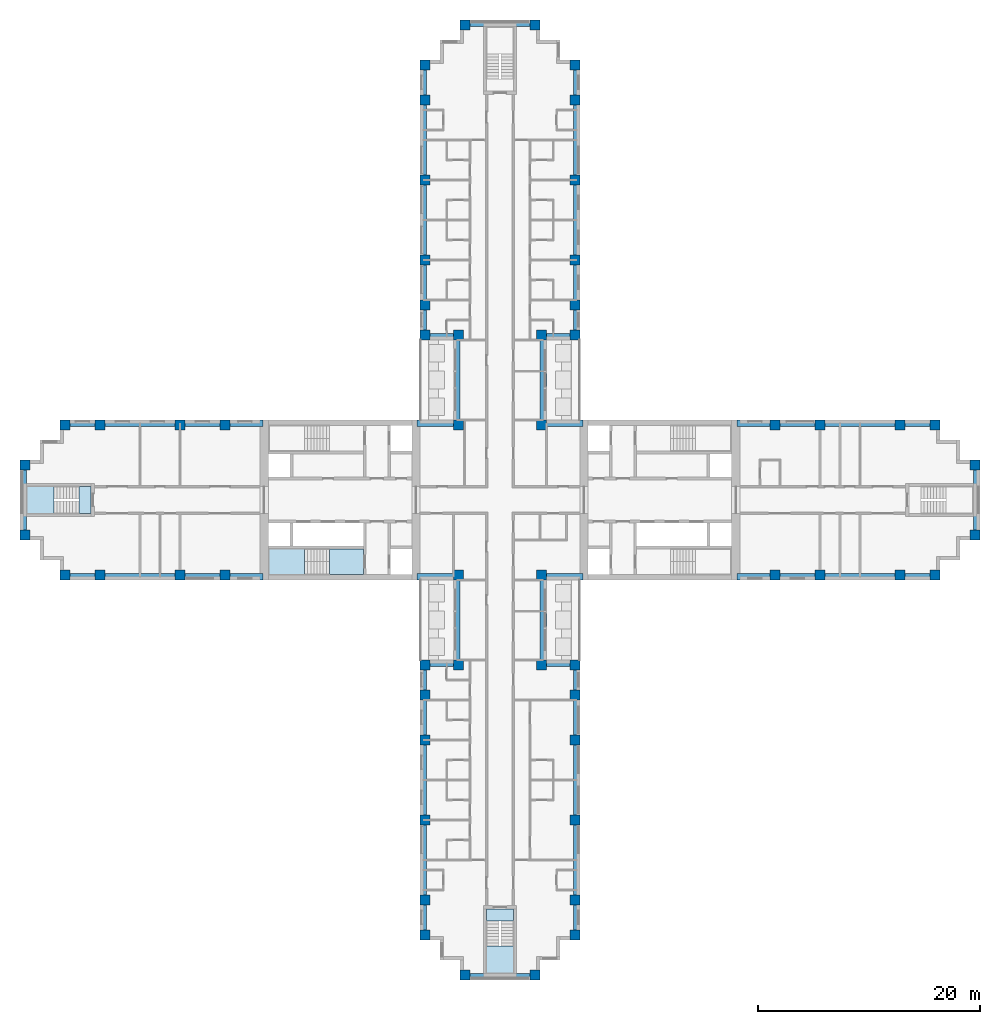
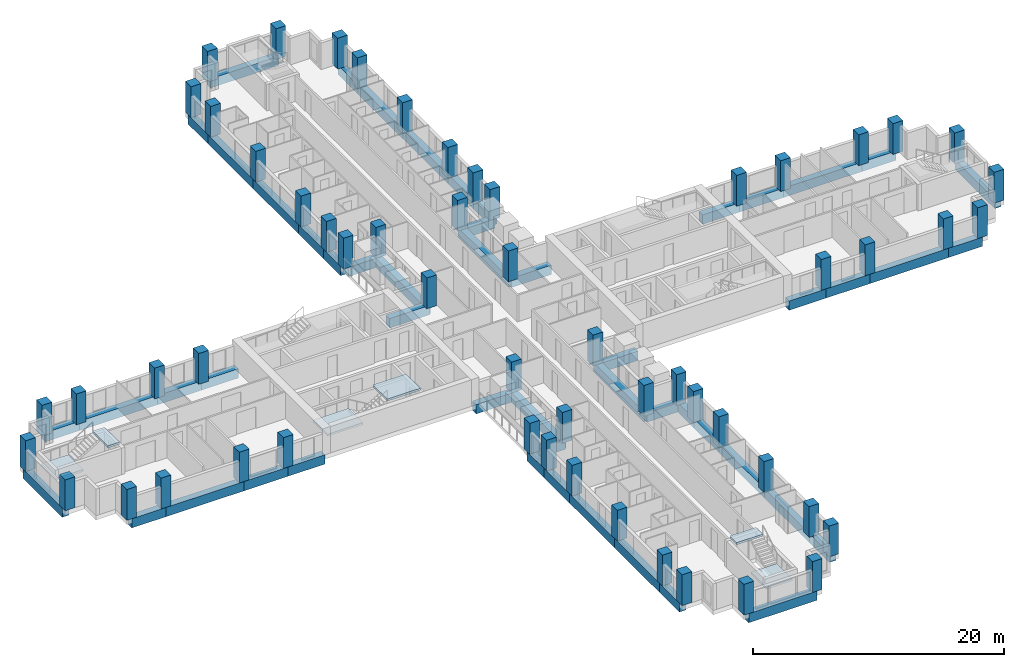
# One storey, part 1 of 15: 56 columns, 52 beams, 6 slabs, 3 elements without a shape of their own.
"""IFC4 building model written with IfcOpenShell, lengths in metres."""

from ifc_helpers import new_model, si_unit, direction, frame, origin, origin_2d, place, context, subcontext, project, spatial, polyline, rectangle, outline, extrude, material, layer, layer_set, material_profile, profile_set, type_object, element, aggregate, save


model = new_model("IFC4")

# Units and contexts
model_context = context("Model", 3, precision=1e-05, world=origin(), true_north=direction((0.0, 1.0)))
body_context = subcontext(model_context, "Body", "Model", "MODEL_VIEW")
ifc_project = project(units=[si_unit("LENGTHUNIT", "METRE"), si_unit("AREAUNIT", "SQUARE_METRE"), si_unit("VOLUMEUNIT", "CUBIC_METRE"), si_unit("PLANEANGLEUNIT", "RADIAN"), si_unit("MASSUNIT", "GRAM", prefix="KILO")], contexts=[model_context])

# Site, building, storey
site_placement = place(None, origin())
site = spatial("IfcSite", under=ifc_project, at=site_placement, CompositionType="ELEMENT")
building_placement = place(site_placement, origin())
building = spatial("IfcBuilding", under=site, at=building_placement, Name="Fustian Cross Tower", CompositionType="ELEMENT")
storey_placement = place(building_placement, frame((0.0, 0.0, 17.699951171875)))
storey = spatial("IfcBuildingStorey", under=building, at=storey_placement, Name="L04", CompositionType="ELEMENT", Elevation=17.699951171875)

# Columns
ifc_material_1 = material(Name="Concrete C70/85", Category="concrete")
ifc_material_profile_1 = material_profile(ifc_material_1, rectangle(XDim=0.89990234375, YDim=0.89990234375, at=origin_2d()), Name="RC 900x900")
ifc_profile_set_1 = profile_set([ifc_material_profile_1], Name="Concrete C70/85")
column_type = type_object("IfcColumnType", Name="COLUMN RC 900x900 C70/85", PredefinedType="COLUMN", material=ifc_profile_set_1)
for number, where, z_axis, x_axis, name in (
    (1, (-42.75, -3.14990234375, 0.0), (0.0, 0.0, 1.0), (1.0, 0.0, 0.0), "COLUMN 001"),
    (2, (-42.75, 3.14990234375, 0.0), (0.0, 0.0, 1.0), (1.0, 0.0, 0.0), "COLUMN 002"),
    (3, (-39.14990234375, -6.75, 0.0), (0.0, 0.0, 1.0), (1.0, 0.0, 0.0), "COLUMN 003"),
    (4, (-39.14990234375, 6.75, 0.0), (0.0, 0.0, 1.0), (1.0, 0.0, 0.0), "COLUMN 004"),
    (5, (-36.0, -6.75, 0.0), (0.0, 0.0, 1.0), (1.0, 0.0, 0.0), "COLUMN 005"),
    (6, (-36.0, 6.75, 0.0), (0.0, 0.0, 1.0), (1.0, 0.0, 0.0), "COLUMN 006"),
    (7, (-28.800048828125, -6.75, 0.0), (0.0, 0.0, 1.0), (1.0, 0.0, 0.0), "COLUMN 007"),
    (8, (-28.800048828125, 6.75, 0.0), (0.0, 0.0, 1.0), (1.0, 0.0, 0.0), "COLUMN 010"),
    (9, (-24.75, -6.75, 0.0), (0.0, 0.0, 1.0), (1.0, 0.0, 0.0), "COLUMN 011"),
    (10, (-24.75, 6.75, 0.0), (0.0, 0.0, 1.0), (1.0, 0.0, 0.0), "COLUMN 012"),
    (11, (-6.75, -39.14990234375, 0.0), (0.0, 0.0, 1.0), (1.0, 0.0, 0.0), "COLUMN 013"),
    (12, (-6.75, -36.0, 0.0), (0.0, 0.0, 1.0), (1.0, 0.0, 0.0), "COLUMN 014"),
    (13, (-6.75, -28.800048828125, 0.0), (0.0, 0.0, 1.0), (1.0, 0.0, 0.0), "COLUMN 015"),
    (14, (-6.75, -21.60009765625, 0.0), (0.0, 0.0, 1.0), (1.0, 0.0, 0.0), "COLUMN 016"),
    (15, (-6.75, -17.550048828125, 0.0), (0.0, 0.0, 1.0), (1.0, 0.0, 0.0), "COLUMN 017"),
    (16, (-6.75, -14.85009765625, 0.0), (0.0, 0.0, 1.0), (1.0, 0.0, 0.0), "COLUMN 018"),
    (17, (-6.75, 14.85009765625, 0.0), (0.0, 0.0, 1.0), (1.0, 0.0, 0.0), "COLUMN 019"),
    (18, (-6.75, 17.550048828125, 0.0), (0.0, 0.0, 1.0), (1.0, 0.0, 0.0), "COLUMN 020"),
    (19, (-6.75, 21.60009765625, 0.0), (0.0, 0.0, 1.0), (1.0, 0.0, 0.0), "COLUMN 021"),
    (20, (-6.75, 28.800048828125, 0.0), (0.0, 0.0, 1.0), (1.0, 0.0, 0.0), "COLUMN 022"),
    (21, (-6.75, 36.0, 0.0), (0.0, 0.0, 1.0), (1.0, 0.0, 0.0), "COLUMN 023"),
    (22, (-6.75, 39.14990234375, 0.0), (0.0, 0.0, 1.0), (1.0, 0.0, 0.0), "COLUMN 024"),
    (23, (-3.75, -14.85009765625, 0.0), (0.0, 0.0, 1.0), (1.0, 0.0, 0.0), "COLUMN 025"),
    (24, (-3.75, -6.75, 0.0), (0.0, 0.0, 1.0), (1.0, 0.0, 0.0), "COLUMN 026"),
    (25, (-3.75, 6.75, 0.0), (0.0, 0.0, 1.0), (1.0, 0.0, 0.0), "COLUMN 027"),
    (26, (-3.75, 14.85009765625, 0.0), (0.0, 0.0, 1.0), (1.0, 0.0, 0.0), "COLUMN 028"),
    (27, (-3.14990234375, -42.75, 0.0), (0.0, 0.0, 1.0), (1.0, 0.0, 0.0), "COLUMN 029"),
    (28, (-3.14990234375, 42.75, 0.0), (0.0, 0.0, 1.0), (1.0, 0.0, 0.0), "COLUMN 032"),
    (29, (3.14990234375, -42.75, 0.0), (0.0, 0.0, 1.0), (1.0, 0.0, 0.0), "COLUMN 033"),
    (30, (3.14990234375, 42.75, 0.0), (0.0, 0.0, 1.0), (1.0, 0.0, 0.0), "COLUMN 036"),
    (31, (3.75, -14.85009765625, 0.0), (0.0, 0.0, 1.0), (1.0, 0.0, 0.0), "COLUMN 037"),
    (32, (3.75, -6.75, 0.0), (0.0, 0.0, 1.0), (1.0, 0.0, 0.0), "COLUMN 038"),
    (33, (3.75, 6.75, 0.0), (0.0, 0.0, 1.0), (1.0, 0.0, 0.0), "COLUMN 039"),
    (34, (3.75, 14.85009765625, 0.0), (0.0, 0.0, 1.0), (1.0, 0.0, 0.0), "COLUMN 040"),
    (35, (6.75, -39.14990234375, 0.0), (0.0, 0.0, 1.0), (1.0, 0.0, 0.0), "COLUMN 041"),
    (36, (6.75, -36.0, 0.0), (0.0, 0.0, 1.0), (1.0, 0.0, 0.0), "COLUMN 042"),
    (37, (6.75, -28.800048828125, 0.0), (0.0, 0.0, 1.0), (1.0, 0.0, 0.0), "COLUMN 043"),
    (38, (6.75, -21.60009765625, 0.0), (0.0, 0.0, 1.0), (1.0, 0.0, 0.0), "COLUMN 044"),
    (39, (6.75, -17.550048828125, 0.0), (0.0, 0.0, 1.0), (1.0, 0.0, 0.0), "COLUMN 045"),
    (40, (6.75, -14.85009765625, 0.0), (0.0, 0.0, 1.0), (1.0, 0.0, 0.0), "COLUMN 046"),
    (41, (6.75, 14.85009765625, 0.0), (0.0, 0.0, 1.0), (1.0, 0.0, 0.0), "COLUMN 047"),
    (42, (6.75, 17.550048828125, 0.0), (0.0, 0.0, 1.0), (1.0, 0.0, 0.0), "COLUMN 048"),
    (43, (6.75, 21.60009765625, 0.0), (0.0, 0.0, 1.0), (1.0, 0.0, 0.0), "COLUMN 049"),
    (44, (6.75, 28.800048828125, 0.0), (0.0, 0.0, 1.0), (1.0, 0.0, 0.0), "COLUMN 050"),
    (45, (6.75, 36.0, 0.0), (0.0, 0.0, 1.0), (1.0, 0.0, 0.0), "COLUMN 051"),
    (46, (6.75, 39.14990234375, 0.0), (0.0, 0.0, 1.0), (1.0, 0.0, 0.0), "COLUMN 052"),
    (47, (24.75, -6.75, 0.0), (0.0, 0.0, 1.0), (1.0, 0.0, 0.0), "COLUMN 053"),
    (48, (24.75, 6.75, 0.0), (0.0, 0.0, 1.0), (1.0, 0.0, 0.0), "COLUMN 054"),
    (49, (28.800048828125, -6.75, 0.0), (0.0, 0.0, 1.0), (1.0, 0.0, 0.0), "COLUMN 055"),
    (50, (28.800048828125, 6.75, 0.0), (0.0, 0.0, 1.0), (1.0, 0.0, 0.0), "COLUMN 058"),
    (51, (36.0, -6.75, 0.0), (0.0, 0.0, 1.0), (1.0, 0.0, 0.0), "COLUMN 059"),
    (52, (36.0, 6.75, 0.0), (0.0, 0.0, 1.0), (1.0, 0.0, 0.0), "COLUMN 060"),
    (53, (39.14990234375, -6.75, 0.0), (0.0, 0.0, 1.0), (1.0, 0.0, 0.0), "COLUMN 061"),
    (54, (39.14990234375, 6.75, 0.0), (0.0, 0.0, 1.0), (1.0, 0.0, 0.0), "COLUMN 062"),
    (55, (42.75, -3.14990234375, 0.0), (0.0, 0.0, 1.0), (1.0, 0.0, 0.0), "COLUMN 063"),
    (56, (42.75, 3.14990234375, 0.0), (0.0, 0.0, 1.0), (1.0, 0.0, 0.0), "COLUMN 064"),
):
    element("IfcColumn", number, at=place(storey_placement, frame(where, z_axis=z_axis, x_axis=x_axis)), inside=storey, type_object=column_type, Name=name, PredefinedType="COLUMN", context=body_context, shape_type="SweptSolid", body=[
        extrude(rectangle(XDim=0.89990234375, YDim=0.89990234375, at=origin_2d()), origin(), (0.0, 0.0, 1.0), 3.0),
    ])

# Beams
ifc_material_2 = material(Name="Concrete C50/60", Category="concrete")
ifc_material_profile_2 = material_profile(ifc_material_2, rectangle(XDim=0.60009765625, YDim=0.89990234375, at=origin_2d()), Name="RC 600x900")
ifc_profile_set_2 = profile_set([ifc_material_profile_2], Name="Concrete C50/60")
beam_type = type_object("IfcBeamType", Name="EDGE BEAM RC 600x900 C50/60", PredefinedType="SPANDREL", material=ifc_profile_set_2)
beam_1_placement = place(storey_placement, frame((21.35009765625, -6.89990234375, -0.449951171875), z_axis=(1.0, 0.0, 0.0), x_axis=(0.0, 1.0, 0.0)))
element("IfcBeam", 57, at=beam_1_placement, inside=storey, type_object=beam_type, Name="EDGE BEAM L04-01", PredefinedType="SPANDREL", context=body_context, shape_type="SweptSolid", body=[
    extrude(rectangle(XDim=0.60009765625, YDim=0.89990234375, at=origin_2d()), origin(), (0.0, 0.0, 1.0), 3.39990234375),
])
beam_2_placement = place(storey_placement, frame((24.75, -6.89990234375, -0.449951171875), z_axis=(1.0, 0.0, 0.0), x_axis=(0.0, 1.0, 0.0)))
element("IfcBeam", 58, at=beam_2_placement, inside=storey, type_object=beam_type, Name="EDGE BEAM L04-02", PredefinedType="SPANDREL", context=body_context, shape_type="SweptSolid", body=[
    extrude(rectangle(XDim=0.60009765625, YDim=0.89990234375, at=origin_2d()), origin(), (0.0, 0.0, 1.0), 4.050048828125),
])
beam_3_placement = place(storey_placement, frame((28.800048828125, -6.89990234375, -0.449951171875), z_axis=(1.0, 0.0, 0.0), x_axis=(0.0, 1.0, 0.0)))
element("IfcBeam", 59, at=beam_3_placement, inside=storey, type_object=beam_type, Name="EDGE BEAM L04-03", PredefinedType="SPANDREL", context=body_context, shape_type="SweptSolid", body=[
    extrude(rectangle(XDim=0.60009765625, YDim=0.89990234375, at=origin_2d()), origin(), (0.0, 0.0, 1.0), 7.199951171875),
])
beam_4_placement = place(storey_placement, frame((36.0, -6.89990234375, -0.449951171875), z_axis=(1.0, 0.0, 0.0), x_axis=(0.0, 1.0, 0.0)))
element("IfcBeam", 60, at=beam_4_placement, inside=storey, type_object=beam_type, Name="EDGE BEAM L04-04", PredefinedType="SPANDREL", context=body_context, shape_type="SweptSolid", body=[
    extrude(rectangle(XDim=0.60009765625, YDim=0.89990234375, at=origin_2d()), origin(), (0.0, 0.0, 1.0), 3.14990234375),
])
beam_5_placement = place(storey_placement, frame((42.89990234375, -3.14990234375, -0.449951171875), z_axis=(0.0, 1.0, 0.0), x_axis=(-1.0, 0.0, 0.0)))
element("IfcBeam", 61, at=beam_5_placement, inside=storey, type_object=beam_type, Name="EDGE BEAM L04-05", PredefinedType="SPANDREL", context=body_context, shape_type="SweptSolid", body=[
    extrude(rectangle(XDim=0.60009765625, YDim=0.89990234375, at=origin_2d()), origin(), (0.0, 0.0, 1.0), 6.2998046875),
])
beam_6_placement = place(storey_placement, frame((39.14990234375, 6.89990234375, -0.449951171875), z_axis=(-1.0, 0.0, 0.0), x_axis=(0.0, -1.0, 0.0)))
element("IfcBeam", 62, at=beam_6_placement, inside=storey, type_object=beam_type, Name="EDGE BEAM L04-06", PredefinedType="SPANDREL", context=body_context, shape_type="SweptSolid", body=[
    extrude(rectangle(XDim=0.60009765625, YDim=0.89990234375, at=origin_2d()), origin(), (0.0, 0.0, 1.0), 3.14990234375),
])
beam_7_placement = place(storey_placement, frame((36.0, 6.89990234375, -0.449951171875), z_axis=(-1.0, 0.0, 0.0), x_axis=(0.0, -1.0, 0.0)))
element("IfcBeam", 63, at=beam_7_placement, inside=storey, type_object=beam_type, Name="EDGE BEAM L04-07", PredefinedType="SPANDREL", context=body_context, shape_type="SweptSolid", body=[
    extrude(rectangle(XDim=0.60009765625, YDim=0.89990234375, at=origin_2d()), origin(), (0.0, 0.0, 1.0), 7.199951171875),
])
beam_8_placement = place(storey_placement, frame((28.800048828125, 6.89990234375, -0.449951171875), z_axis=(-1.0, 0.0, 0.0), x_axis=(0.0, -1.0, 0.0)))
element("IfcBeam", 64, at=beam_8_placement, inside=storey, type_object=beam_type, Name="EDGE BEAM L04-08", PredefinedType="SPANDREL", context=body_context, shape_type="SweptSolid", body=[
    extrude(rectangle(XDim=0.60009765625, YDim=0.89990234375, at=origin_2d()), origin(), (0.0, 0.0, 1.0), 4.050048828125),
])
beam_9_placement = place(storey_placement, frame((24.75, 6.89990234375, -0.449951171875), z_axis=(-1.0, 0.0, 0.0), x_axis=(0.0, -1.0, 0.0)))
element("IfcBeam", 65, at=beam_9_placement, inside=storey, type_object=beam_type, Name="EDGE BEAM L04-09", PredefinedType="SPANDREL", context=body_context, shape_type="SweptSolid", body=[
    extrude(rectangle(XDim=0.60009765625, YDim=0.89990234375, at=origin_2d()), origin(), (0.0, 0.0, 1.0), 3.39990234375),
])
beam_10_placement = place(storey_placement, frame((7.449951171875, 6.89990234375, -0.449951171875), z_axis=(-1.0, 0.0, 0.0), x_axis=(0.0, -1.0, 0.0)))
element("IfcBeam", 66, at=beam_10_placement, inside=storey, type_object=beam_type, Name="EDGE BEAM L04-10", PredefinedType="SPANDREL", context=body_context, shape_type="SweptSolid", body=[
    extrude(rectangle(XDim=0.60009765625, YDim=0.89990234375, at=origin_2d()), origin(), (0.0, 0.0, 1.0), 3.699951171875),
])
beam_11_placement = place(storey_placement, frame((3.89990234375, 6.75, -0.449951171875), z_axis=(0.0, 1.0, 0.0), x_axis=(-1.0, 0.0, 0.0)))
element("IfcBeam", 67, at=beam_11_placement, inside=storey, type_object=beam_type, Name="EDGE BEAM L04-11", PredefinedType="SPANDREL", context=body_context, shape_type="SweptSolid", body=[
    extrude(rectangle(XDim=0.60009765625, YDim=0.89990234375, at=origin_2d()), origin(), (0.0, 0.0, 1.0), 8.10009765625),
])
beam_12_placement = place(storey_placement, frame((3.75, 14.699951171875, -0.449951171875), z_axis=(1.0, 0.0, 0.0), x_axis=(0.0, 1.0, 0.0)))
element("IfcBeam", 68, at=beam_12_placement, inside=storey, type_object=beam_type, Name="EDGE BEAM L04-12", PredefinedType="SPANDREL", context=body_context, shape_type="SweptSolid", body=[
    extrude(rectangle(XDim=0.60009765625, YDim=0.89990234375, at=origin_2d()), origin(), (0.0, 0.0, 1.0), 3.0),
])
beam_13_placement = place(storey_placement, frame((6.89990234375, 14.85009765625, -0.449951171875), z_axis=(0.0, 1.0, 0.0), x_axis=(-1.0, 0.0, 0.0)))
element("IfcBeam", 69, at=beam_13_placement, inside=storey, type_object=beam_type, Name="EDGE BEAM L04-13", PredefinedType="SPANDREL", context=body_context, shape_type="SweptSolid", body=[
    extrude(rectangle(XDim=0.60009765625, YDim=0.89990234375, at=origin_2d()), origin(), (0.0, 0.0, 1.0), 2.699951171875),
])
beam_14_placement = place(storey_placement, frame((6.89990234375, 17.550048828125, -0.449951171875), z_axis=(0.0, 1.0, 0.0), x_axis=(-1.0, 0.0, 0.0)))
element("IfcBeam", 70, at=beam_14_placement, inside=storey, type_object=beam_type, Name="EDGE BEAM L04-14", PredefinedType="SPANDREL", context=body_context, shape_type="SweptSolid", body=[
    extrude(rectangle(XDim=0.60009765625, YDim=0.89990234375, at=origin_2d()), origin(), (0.0, 0.0, 1.0), 4.050048828125),
])
for number, where, z_axis, x_axis, name in (
    (71, (6.89990234375, 21.60009765625, -0.449951171875), (0.0, 1.0, 0.0), (-1.0, 0.0, 0.0), "EDGE BEAM L04-15"),
    (72, (6.89990234375, 28.800048828125, -0.449951171875), (0.0, 1.0, 0.0), (-1.0, 0.0, 0.0), "EDGE BEAM L04-16"),
):
    element("IfcBeam", number, at=place(storey_placement, frame(where, z_axis=z_axis, x_axis=x_axis)), inside=storey, type_object=beam_type, Name=name, PredefinedType="SPANDREL", context=body_context, shape_type="SweptSolid", body=[
        extrude(rectangle(XDim=0.60009765625, YDim=0.89990234375, at=origin_2d()), origin(), (0.0, 0.0, 1.0), 7.199951171875),
    ])
beam_15_placement = place(storey_placement, frame((6.89990234375, 36.0, -0.449951171875), z_axis=(0.0, 1.0, 0.0), x_axis=(-1.0, 0.0, 0.0)))
element("IfcBeam", 73, at=beam_15_placement, inside=storey, type_object=beam_type, Name="EDGE BEAM L04-17", PredefinedType="SPANDREL", context=body_context, shape_type="SweptSolid", body=[
    extrude(rectangle(XDim=0.60009765625, YDim=0.89990234375, at=origin_2d()), origin(), (0.0, 0.0, 1.0), 3.14990234375),
])
beam_16_placement = place(storey_placement, frame((3.14990234375, 42.89990234375, -0.449951171875), z_axis=(-1.0, 0.0, 0.0), x_axis=(0.0, -1.0, 0.0)))
element("IfcBeam", 74, at=beam_16_placement, inside=storey, type_object=beam_type, Name="EDGE BEAM L04-18", PredefinedType="SPANDREL", context=body_context, shape_type="SweptSolid", body=[
    extrude(rectangle(XDim=0.60009765625, YDim=0.89990234375, at=origin_2d()), origin(), (0.0, 0.0, 1.0), 6.2998046875),
])
beam_17_placement = place(storey_placement, frame((-6.89990234375, 39.14990234375, -0.449951171875), z_axis=(0.0, -1.0, 0.0), x_axis=(1.0, 0.0, 0.0)))
element("IfcBeam", 75, at=beam_17_placement, inside=storey, type_object=beam_type, Name="EDGE BEAM L04-19", PredefinedType="SPANDREL", context=body_context, shape_type="SweptSolid", body=[
    extrude(rectangle(XDim=0.60009765625, YDim=0.89990234375, at=origin_2d()), origin(), (0.0, 0.0, 1.0), 3.14990234375),
])
for number, where, z_axis, x_axis, name in (
    (76, (-6.89990234375, 36.0, -0.449951171875), (0.0, -1.0, 0.0), (1.0, 0.0, 0.0), "EDGE BEAM L04-20"),
    (77, (-6.89990234375, 28.800048828125, -0.449951171875), (0.0, -1.0, 0.0), (1.0, 0.0, 0.0), "EDGE BEAM L04-21"),
):
    element("IfcBeam", number, at=place(storey_placement, frame(where, z_axis=z_axis, x_axis=x_axis)), inside=storey, type_object=beam_type, Name=name, PredefinedType="SPANDREL", context=body_context, shape_type="SweptSolid", body=[
        extrude(rectangle(XDim=0.60009765625, YDim=0.89990234375, at=origin_2d()), origin(), (0.0, 0.0, 1.0), 7.199951171875),
    ])
beam_18_placement = place(storey_placement, frame((-6.89990234375, 21.60009765625, -0.449951171875), z_axis=(0.0, -1.0, 0.0), x_axis=(1.0, 0.0, 0.0)))
element("IfcBeam", 78, at=beam_18_placement, inside=storey, type_object=beam_type, Name="EDGE BEAM L04-22", PredefinedType="SPANDREL", context=body_context, shape_type="SweptSolid", body=[
    extrude(rectangle(XDim=0.60009765625, YDim=0.89990234375, at=origin_2d()), origin(), (0.0, 0.0, 1.0), 4.050048828125),
])
beam_19_placement = place(storey_placement, frame((-6.89990234375, 17.550048828125, -0.449951171875), z_axis=(0.0, -1.0, 0.0), x_axis=(1.0, 0.0, 0.0)))
element("IfcBeam", 79, at=beam_19_placement, inside=storey, type_object=beam_type, Name="EDGE BEAM L04-23", PredefinedType="SPANDREL", context=body_context, shape_type="SweptSolid", body=[
    extrude(rectangle(XDim=0.60009765625, YDim=0.89990234375, at=origin_2d()), origin(), (0.0, 0.0, 1.0), 2.699951171875),
])
beam_20_placement = place(storey_placement, frame((-6.75, 14.699951171875, -0.449951171875), z_axis=(1.0, 0.0, 0.0), x_axis=(0.0, 1.0, 0.0)))
element("IfcBeam", 80, at=beam_20_placement, inside=storey, type_object=beam_type, Name="EDGE BEAM L04-24", PredefinedType="SPANDREL", context=body_context, shape_type="SweptSolid", body=[
    extrude(rectangle(XDim=0.60009765625, YDim=0.89990234375, at=origin_2d()), origin(), (0.0, 0.0, 1.0), 3.0),
])
beam_21_placement = place(storey_placement, frame((-3.89990234375, 14.85009765625, -0.449951171875), z_axis=(0.0, -1.0, 0.0), x_axis=(1.0, 0.0, 0.0)))
element("IfcBeam", 81, at=beam_21_placement, inside=storey, type_object=beam_type, Name="EDGE BEAM L04-25", PredefinedType="SPANDREL", context=body_context, shape_type="SweptSolid", body=[
    extrude(rectangle(XDim=0.60009765625, YDim=0.89990234375, at=origin_2d()), origin(), (0.0, 0.0, 1.0), 8.10009765625),
])
beam_22_placement = place(storey_placement, frame((-3.75, 6.89990234375, -0.449951171875), z_axis=(-1.0, 0.0, 0.0), x_axis=(0.0, -1.0, 0.0)))
element("IfcBeam", 82, at=beam_22_placement, inside=storey, type_object=beam_type, Name="EDGE BEAM L04-26", PredefinedType="SPANDREL", context=body_context, shape_type="SweptSolid", body=[
    extrude(rectangle(XDim=0.60009765625, YDim=0.89990234375, at=origin_2d()), origin(), (0.0, 0.0, 1.0), 3.699951171875),
])
beam_23_placement = place(storey_placement, frame((-21.35009765625, 6.89990234375, -0.449951171875), z_axis=(-1.0, 0.0, 0.0), x_axis=(0.0, -1.0, 0.0)))
element("IfcBeam", 83, at=beam_23_placement, inside=storey, type_object=beam_type, Name="EDGE BEAM L04-27", PredefinedType="SPANDREL", context=body_context, shape_type="SweptSolid", body=[
    extrude(rectangle(XDim=0.60009765625, YDim=0.89990234375, at=origin_2d()), origin(), (0.0, 0.0, 1.0), 3.39990234375),
])
beam_24_placement = place(storey_placement, frame((-24.75, 6.89990234375, -0.449951171875), z_axis=(-1.0, 0.0, 0.0), x_axis=(0.0, -1.0, 0.0)))
element("IfcBeam", 84, at=beam_24_placement, inside=storey, type_object=beam_type, Name="EDGE BEAM L04-28", PredefinedType="SPANDREL", context=body_context, shape_type="SweptSolid", body=[
    extrude(rectangle(XDim=0.60009765625, YDim=0.89990234375, at=origin_2d()), origin(), (0.0, 0.0, 1.0), 4.050048828125),
])
beam_25_placement = place(storey_placement, frame((-28.800048828125, 6.89990234375, -0.449951171875), z_axis=(-1.0, 0.0, 0.0), x_axis=(0.0, -1.0, 0.0)))
element("IfcBeam", 85, at=beam_25_placement, inside=storey, type_object=beam_type, Name="EDGE BEAM L04-29", PredefinedType="SPANDREL", context=body_context, shape_type="SweptSolid", body=[
    extrude(rectangle(XDim=0.60009765625, YDim=0.89990234375, at=origin_2d()), origin(), (0.0, 0.0, 1.0), 7.199951171875),
])
beam_26_placement = place(storey_placement, frame((-36.0, 6.89990234375, -0.449951171875), z_axis=(-1.0, 0.0, 0.0), x_axis=(0.0, -1.0, 0.0)))
element("IfcBeam", 86, at=beam_26_placement, inside=storey, type_object=beam_type, Name="EDGE BEAM L04-30", PredefinedType="SPANDREL", context=body_context, shape_type="SweptSolid", body=[
    extrude(rectangle(XDim=0.60009765625, YDim=0.89990234375, at=origin_2d()), origin(), (0.0, 0.0, 1.0), 3.14990234375),
])
beam_27_placement = place(storey_placement, frame((-42.89990234375, 3.14990234375, -0.449951171875), z_axis=(0.0, -1.0, 0.0), x_axis=(1.0, 0.0, 0.0)))
element("IfcBeam", 87, at=beam_27_placement, inside=storey, type_object=beam_type, Name="EDGE BEAM L04-31", PredefinedType="SPANDREL", context=body_context, shape_type="SweptSolid", body=[
    extrude(rectangle(XDim=0.60009765625, YDim=0.89990234375, at=origin_2d()), origin(), (0.0, 0.0, 1.0), 6.2998046875),
])
beam_28_placement = place(storey_placement, frame((-39.14990234375, -6.89990234375, -0.449951171875), z_axis=(1.0, 0.0, 0.0), x_axis=(0.0, 1.0, 0.0)))
element("IfcBeam", 88, at=beam_28_placement, inside=storey, type_object=beam_type, Name="EDGE BEAM L04-32", PredefinedType="SPANDREL", context=body_context, shape_type="SweptSolid", body=[
    extrude(rectangle(XDim=0.60009765625, YDim=0.89990234375, at=origin_2d()), origin(), (0.0, 0.0, 1.0), 3.14990234375),
])
beam_29_placement = place(storey_placement, frame((-36.0, -6.89990234375, -0.449951171875), z_axis=(1.0, 0.0, 0.0), x_axis=(0.0, 1.0, 0.0)))
element("IfcBeam", 89, at=beam_29_placement, inside=storey, type_object=beam_type, Name="EDGE BEAM L04-33", PredefinedType="SPANDREL", context=body_context, shape_type="SweptSolid", body=[
    extrude(rectangle(XDim=0.60009765625, YDim=0.89990234375, at=origin_2d()), origin(), (0.0, 0.0, 1.0), 7.199951171875),
])
beam_30_placement = place(storey_placement, frame((-28.800048828125, -6.89990234375, -0.449951171875), z_axis=(1.0, 0.0, 0.0), x_axis=(0.0, 1.0, 0.0)))
element("IfcBeam", 90, at=beam_30_placement, inside=storey, type_object=beam_type, Name="EDGE BEAM L04-34", PredefinedType="SPANDREL", context=body_context, shape_type="SweptSolid", body=[
    extrude(rectangle(XDim=0.60009765625, YDim=0.89990234375, at=origin_2d()), origin(), (0.0, 0.0, 1.0), 4.050048828125),
])
beam_31_placement = place(storey_placement, frame((-24.75, -6.89990234375, -0.449951171875), z_axis=(1.0, 0.0, 0.0), x_axis=(0.0, 1.0, 0.0)))
element("IfcBeam", 91, at=beam_31_placement, inside=storey, type_object=beam_type, Name="EDGE BEAM L04-35", PredefinedType="SPANDREL", context=body_context, shape_type="SweptSolid", body=[
    extrude(rectangle(XDim=0.60009765625, YDim=0.89990234375, at=origin_2d()), origin(), (0.0, 0.0, 1.0), 3.39990234375),
])
beam_32_placement = place(storey_placement, frame((-7.449951171875, -6.89990234375, -0.449951171875), z_axis=(1.0, 0.0, 0.0), x_axis=(0.0, 1.0, 0.0)))
element("IfcBeam", 92, at=beam_32_placement, inside=storey, type_object=beam_type, Name="EDGE BEAM L04-36", PredefinedType="SPANDREL", context=body_context, shape_type="SweptSolid", body=[
    extrude(rectangle(XDim=0.60009765625, YDim=0.89990234375, at=origin_2d()), origin(), (0.0, 0.0, 1.0), 3.699951171875),
])
beam_33_placement = place(storey_placement, frame((-3.89990234375, -6.75, -0.449951171875), z_axis=(0.0, -1.0, 0.0), x_axis=(1.0, 0.0, 0.0)))
element("IfcBeam", 93, at=beam_33_placement, inside=storey, type_object=beam_type, Name="EDGE BEAM L04-37", PredefinedType="SPANDREL", context=body_context, shape_type="SweptSolid", body=[
    extrude(rectangle(XDim=0.60009765625, YDim=0.89990234375, at=origin_2d()), origin(), (0.0, 0.0, 1.0), 8.10009765625),
])
beam_34_placement = place(storey_placement, frame((-3.75, -14.699951171875, -0.449951171875), z_axis=(-1.0, 0.0, 0.0), x_axis=(0.0, -1.0, 0.0)))
element("IfcBeam", 94, at=beam_34_placement, inside=storey, type_object=beam_type, Name="EDGE BEAM L04-38", PredefinedType="SPANDREL", context=body_context, shape_type="SweptSolid", body=[
    extrude(rectangle(XDim=0.60009765625, YDim=0.89990234375, at=origin_2d()), origin(), (0.0, 0.0, 1.0), 3.0),
])
beam_35_placement = place(storey_placement, frame((-6.89990234375, -14.85009765625, -0.449951171875), z_axis=(0.0, -1.0, 0.0), x_axis=(1.0, 0.0, 0.0)))
element("IfcBeam", 95, at=beam_35_placement, inside=storey, type_object=beam_type, Name="EDGE BEAM L04-39", PredefinedType="SPANDREL", context=body_context, shape_type="SweptSolid", body=[
    extrude(rectangle(XDim=0.60009765625, YDim=0.89990234375, at=origin_2d()), origin(), (0.0, 0.0, 1.0), 2.699951171875),
])
beam_36_placement = place(storey_placement, frame((-6.89990234375, -17.550048828125, -0.449951171875), z_axis=(0.0, -1.0, 0.0), x_axis=(1.0, 0.0, 0.0)))
element("IfcBeam", 96, at=beam_36_placement, inside=storey, type_object=beam_type, Name="EDGE BEAM L04-40", PredefinedType="SPANDREL", context=body_context, shape_type="SweptSolid", body=[
    extrude(rectangle(XDim=0.60009765625, YDim=0.89990234375, at=origin_2d()), origin(), (0.0, 0.0, 1.0), 4.050048828125),
])
for number, where, z_axis, x_axis, name in (
    (97, (-6.89990234375, -21.60009765625, -0.449951171875), (0.0, -1.0, 0.0), (1.0, 0.0, 0.0), "EDGE BEAM L04-41"),
    (98, (-6.89990234375, -28.800048828125, -0.449951171875), (0.0, -1.0, 0.0), (1.0, 0.0, 0.0), "EDGE BEAM L04-42"),
):
    element("IfcBeam", number, at=place(storey_placement, frame(where, z_axis=z_axis, x_axis=x_axis)), inside=storey, type_object=beam_type, Name=name, PredefinedType="SPANDREL", context=body_context, shape_type="SweptSolid", body=[
        extrude(rectangle(XDim=0.60009765625, YDim=0.89990234375, at=origin_2d()), origin(), (0.0, 0.0, 1.0), 7.199951171875),
    ])
beam_37_placement = place(storey_placement, frame((-6.89990234375, -36.0, -0.449951171875), z_axis=(0.0, -1.0, 0.0), x_axis=(1.0, 0.0, 0.0)))
element("IfcBeam", 99, at=beam_37_placement, inside=storey, type_object=beam_type, Name="EDGE BEAM L04-43", PredefinedType="SPANDREL", context=body_context, shape_type="SweptSolid", body=[
    extrude(rectangle(XDim=0.60009765625, YDim=0.89990234375, at=origin_2d()), origin(), (0.0, 0.0, 1.0), 3.14990234375),
])
beam_38_placement = place(storey_placement, frame((-3.14990234375, -42.89990234375, -0.449951171875), z_axis=(1.0, 0.0, 0.0), x_axis=(0.0, 1.0, 0.0)))
element("IfcBeam", 100, at=beam_38_placement, inside=storey, type_object=beam_type, Name="EDGE BEAM L04-44", PredefinedType="SPANDREL", context=body_context, shape_type="SweptSolid", body=[
    extrude(rectangle(XDim=0.60009765625, YDim=0.89990234375, at=origin_2d()), origin(), (0.0, 0.0, 1.0), 6.2998046875),
])
beam_39_placement = place(storey_placement, frame((6.89990234375, -39.14990234375, -0.449951171875), z_axis=(0.0, 1.0, 0.0), x_axis=(-1.0, 0.0, 0.0)))
element("IfcBeam", 101, at=beam_39_placement, inside=storey, type_object=beam_type, Name="EDGE BEAM L04-45", PredefinedType="SPANDREL", context=body_context, shape_type="SweptSolid", body=[
    extrude(rectangle(XDim=0.60009765625, YDim=0.89990234375, at=origin_2d()), origin(), (0.0, 0.0, 1.0), 3.14990234375),
])
for number, where, z_axis, x_axis, name in (
    (102, (6.89990234375, -36.0, -0.449951171875), (0.0, 1.0, 0.0), (-1.0, 0.0, 0.0), "EDGE BEAM L04-46"),
    (103, (6.89990234375, -28.800048828125, -0.449951171875), (0.0, 1.0, 0.0), (-1.0, 0.0, 0.0), "EDGE BEAM L04-47"),
):
    element("IfcBeam", number, at=place(storey_placement, frame(where, z_axis=z_axis, x_axis=x_axis)), inside=storey, type_object=beam_type, Name=name, PredefinedType="SPANDREL", context=body_context, shape_type="SweptSolid", body=[
        extrude(rectangle(XDim=0.60009765625, YDim=0.89990234375, at=origin_2d()), origin(), (0.0, 0.0, 1.0), 7.199951171875),
    ])
beam_40_placement = place(storey_placement, frame((6.89990234375, -21.60009765625, -0.449951171875), z_axis=(0.0, 1.0, 0.0), x_axis=(-1.0, 0.0, 0.0)))
element("IfcBeam", 104, at=beam_40_placement, inside=storey, type_object=beam_type, Name="EDGE BEAM L04-48", PredefinedType="SPANDREL", context=body_context, shape_type="SweptSolid", body=[
    extrude(rectangle(XDim=0.60009765625, YDim=0.89990234375, at=origin_2d()), origin(), (0.0, 0.0, 1.0), 4.050048828125),
])
beam_41_placement = place(storey_placement, frame((6.89990234375, -17.550048828125, -0.449951171875), z_axis=(0.0, 1.0, 0.0), x_axis=(-1.0, 0.0, 0.0)))
element("IfcBeam", 105, at=beam_41_placement, inside=storey, type_object=beam_type, Name="EDGE BEAM L04-49", PredefinedType="SPANDREL", context=body_context, shape_type="SweptSolid", body=[
    extrude(rectangle(XDim=0.60009765625, YDim=0.89990234375, at=origin_2d()), origin(), (0.0, 0.0, 1.0), 2.699951171875),
])
beam_42_placement = place(storey_placement, frame((6.75, -14.699951171875, -0.449951171875), z_axis=(-1.0, 0.0, 0.0), x_axis=(0.0, -1.0, 0.0)))
element("IfcBeam", 106, at=beam_42_placement, inside=storey, type_object=beam_type, Name="EDGE BEAM L04-50", PredefinedType="SPANDREL", context=body_context, shape_type="SweptSolid", body=[
    extrude(rectangle(XDim=0.60009765625, YDim=0.89990234375, at=origin_2d()), origin(), (0.0, 0.0, 1.0), 3.0),
])
beam_43_placement = place(storey_placement, frame((3.89990234375, -14.85009765625, -0.449951171875), z_axis=(0.0, 1.0, 0.0), x_axis=(-1.0, 0.0, 0.0)))
element("IfcBeam", 107, at=beam_43_placement, inside=storey, type_object=beam_type, Name="EDGE BEAM L04-51", PredefinedType="SPANDREL", context=body_context, shape_type="SweptSolid", body=[
    extrude(rectangle(XDim=0.60009765625, YDim=0.89990234375, at=origin_2d()), origin(), (0.0, 0.0, 1.0), 8.10009765625),
])
beam_44_placement = place(storey_placement, frame((3.75, -6.89990234375, -0.449951171875), z_axis=(1.0, 0.0, 0.0), x_axis=(0.0, 1.0, 0.0)))
element("IfcBeam", 108, at=beam_44_placement, inside=storey, type_object=beam_type, Name="EDGE BEAM L04-52", PredefinedType="SPANDREL", context=body_context, shape_type="SweptSolid", body=[
    extrude(rectangle(XDim=0.60009765625, YDim=0.89990234375, at=origin_2d()), origin(), (0.0, 0.0, 1.0), 3.699951171875),
])

# Stair, slabs
ifc_material_3 = material(Name="Concrete C50/60", Category="concrete")
stair_type_1 = type_object("IfcStairType", Name="STAIR 1150 HALF TURN", PredefinedType="HALF_TURN_STAIR", material=ifc_material_3)
stair_1_placement = place(storey_placement, origin())
stair_1 = element("IfcStair", 109, at=stair_1_placement, inside=storey, type_object=stair_type_1, Name="Stair ST4", PredefinedType="HALF_TURN_STAIR")
ifc_material_4 = material(Name="Concrete C50/60", Category="concrete")
ifc_layer = layer(ifc_material_4, 0.199951171875)
ifc_layer_set = layer_set([ifc_layer], Name="Concrete C50/60")
slab_type = type_object("IfcSlabType", Name="STAIR LANDING", PredefinedType="LANDING", material=ifc_layer_set)
slab_1_placement = place(storey_placement, frame((0.0, 0.0, 1.300048828125)))
slab_1 = element("IfcSlab", 110, at=slab_1_placement, type_object=slab_type, Name="ST4 landing 1", PredefinedType="LANDING", context=body_context, shape_type="SweptSolid", body=[
    extrude(outline(polyline([(-17.590087890625, -4.39990234375), (-20.85009765625, -4.39990234375), (-20.85009765625, -6.699951171875), (-17.590087890625, -6.699951171875), (-17.590087890625, -4.39990234375)])), origin(), (0.0, 0.0, 1.0), 0.199951171875),
])
slab_2_placement = place(storey_placement, frame((0.0, 0.0, 2.800048828125)))
slab_2 = element("IfcSlab", 111, at=slab_2_placement, type_object=slab_type, Name="ST4 landing 2", PredefinedType="LANDING", context=body_context, shape_type="SweptSolid", body=[
    extrude(outline(polyline([(-12.300048828125, -4.39990234375), (-15.35009765625, -4.39990234375), (-15.35009765625, -6.699951171875), (-12.300048828125, -6.699951171875), (-12.300048828125, -4.39990234375)])), origin(), (0.0, 0.0, 1.0), 0.199951171875),
])
aggregate(stair_1, [slab_1, slab_2])

ifc_material_5 = material(Name="Concrete C50/60", Category="concrete")
stair_type_2 = type_object("IfcStairType", Name="STAIR 1100 HALF TURN", PredefinedType="HALF_TURN_STAIR", material=ifc_material_5)
stair_2_placement = place(storey_placement, origin())
stair_2 = element("IfcStair", 112, at=stair_2_placement, inside=storey, type_object=stair_type_2, Name="Stair ST6", PredefinedType="HALF_TURN_STAIR")
slab_3_placement = place(storey_placement, frame((0.0, 0.0, 1.300048828125)))
slab_3 = element("IfcSlab", 113, at=slab_3_placement, type_object=slab_type, Name="ST6 landing 1", PredefinedType="LANDING", context=body_context, shape_type="SweptSolid", body=[
    extrude(outline(polyline([(-1.199951171875, -40.139892578125), (-1.199951171875, -42.60009765625), (1.199951171875, -42.60009765625), (1.199951171875, -40.139892578125), (-1.199951171875, -40.139892578125)])), origin(), (0.0, 0.0, 1.0), 0.199951171875),
])
slab_4_placement = place(storey_placement, frame((0.0, 0.0, 2.800048828125)))
slab_4 = element("IfcSlab", 114, at=slab_4_placement, type_object=slab_type, Name="ST6 landing 2", PredefinedType="LANDING", context=body_context, shape_type="SweptSolid", body=[
    extrude(outline(polyline([(-1.199951171875, -36.800048828125), (-1.199951171875, -37.89990234375), (1.199951171875, -37.89990234375), (1.199951171875, -36.800048828125), (-1.199951171875, -36.800048828125)])), origin(), (0.0, 0.0, 1.0), 0.199951171875),
])
aggregate(stair_2, [slab_3, slab_4])

stair_3_placement = place(storey_placement, origin())
stair_3 = element("IfcStair", 115, at=stair_3_placement, inside=storey, type_object=stair_type_2, Name="Stair ST9", PredefinedType="HALF_TURN_STAIR")
slab_5_placement = place(storey_placement, frame((0.0, 0.0, 1.300048828125)))
slab_5 = element("IfcSlab", 116, at=slab_5_placement, type_object=slab_type, Name="ST9 landing 1", PredefinedType="LANDING", context=body_context, shape_type="SweptSolid", body=[
    extrude(outline(polyline([(-40.139892578125, -1.199951171875), (-42.60009765625, -1.199951171875), (-42.60009765625, 1.199951171875), (-40.139892578125, 1.199951171875), (-40.139892578125, -1.199951171875)])), origin(), (0.0, 0.0, 1.0), 0.199951171875),
])
slab_6_placement = place(storey_placement, frame((0.0, 0.0, 2.800048828125)))
slab_6 = element("IfcSlab", 117, at=slab_6_placement, type_object=slab_type, Name="ST9 landing 2", PredefinedType="LANDING", context=body_context, shape_type="SweptSolid", body=[
    extrude(outline(polyline([(-36.800048828125, -1.199951171875), (-37.89990234375, -1.199951171875), (-37.89990234375, 1.199951171875), (-36.800048828125, 1.199951171875), (-36.800048828125, -1.199951171875)])), origin(), (0.0, 0.0, 1.0), 0.199951171875),
])
aggregate(stair_3, [slab_5, slab_6])

save(model, "model.ifc")
